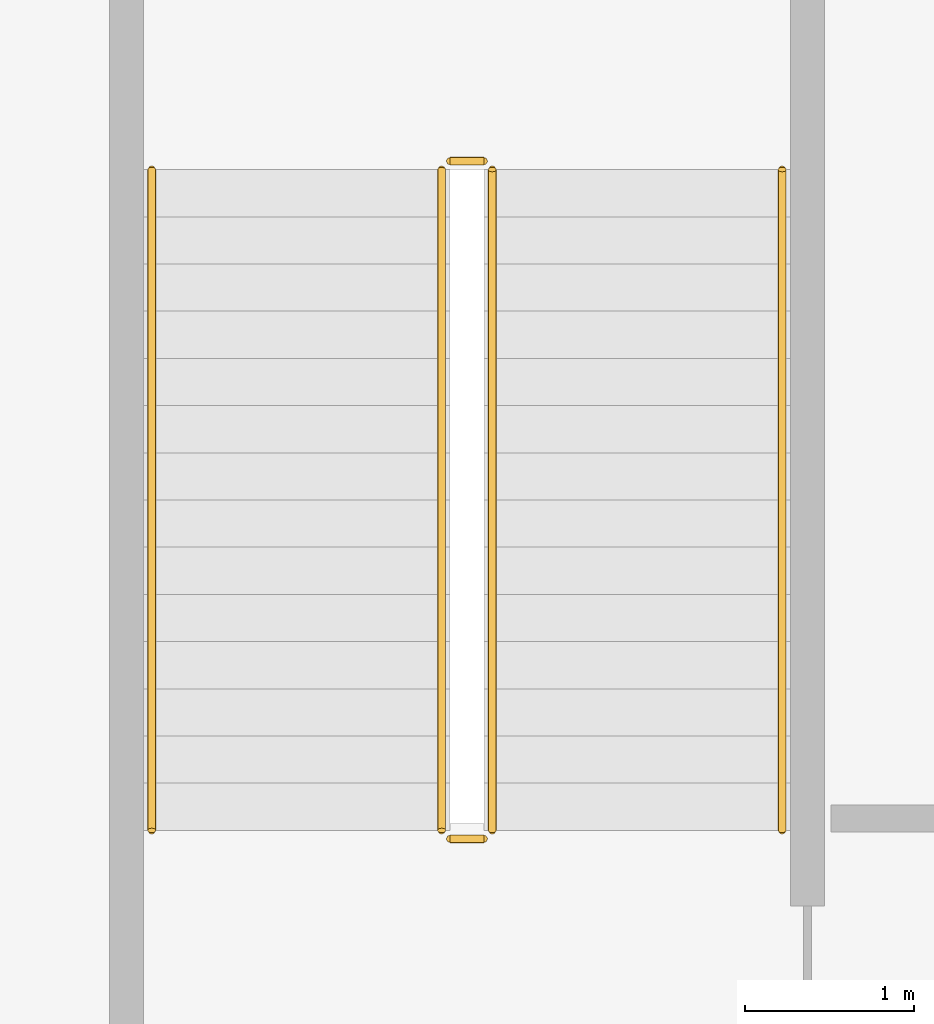
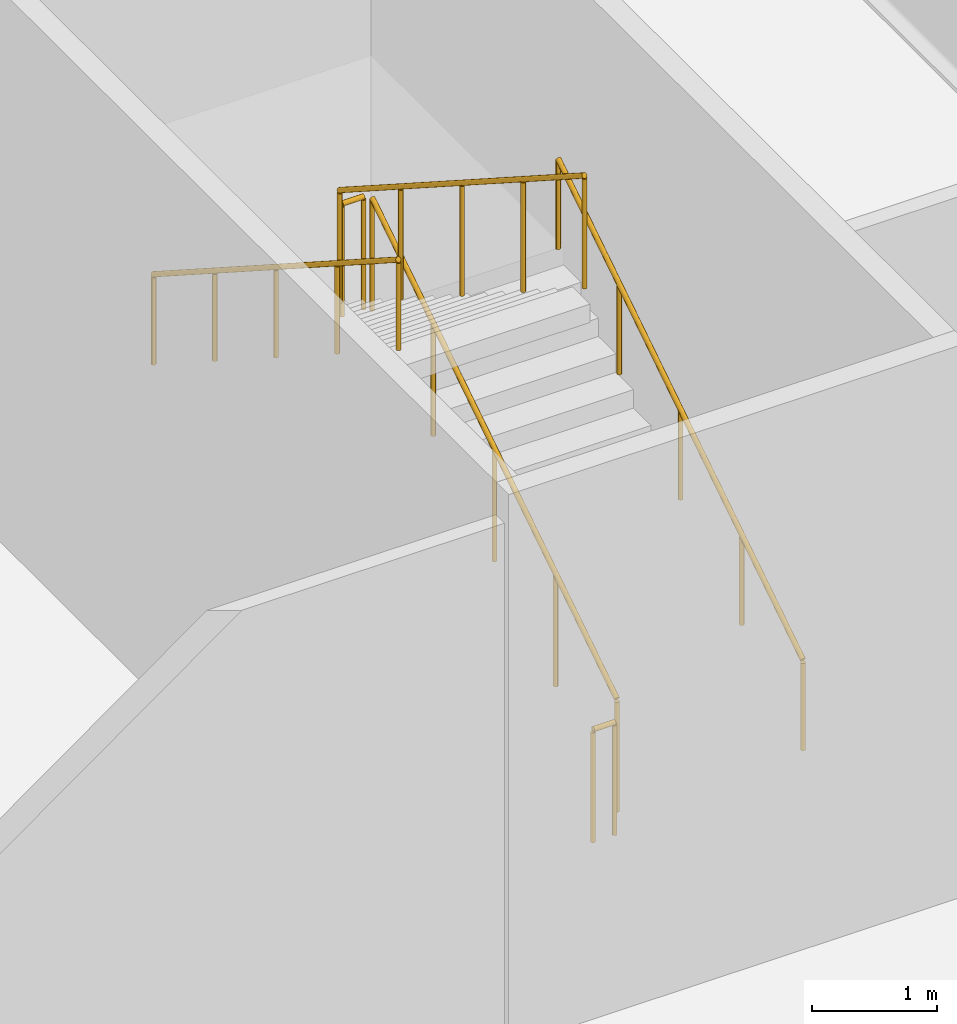
# One storey, part 23 of 24: 6 railings.
"""IFC4 building model written with IfcOpenShell, lengths in metres."""

import ifcopenshell
import ifcopenshell.guid

model = None  # the IFC model being written
_history = None  # IfcOwnerHistory: only IFC2X3 demands one
_inside = {}  # id of a spatial element -> (the spatial element, [elements in it])
_under = {}  # id of a project, library or spatial element -> (it, [spatial elements below it])
_declared = {}  # id of a project -> (the project, [libraries it declares])
_typed = {}  # id of a type object -> (the type object, [elements of that type])
_made_of = {}  # id of a material, layer set ... -> (it, [elements and type objects made of it])


def new_model(schema):
    """Start an empty IFC model of exactly this schema.

    Asked for "IFC4X3", IfcOpenShell would pick the latest addendum, in which some entities
    have other attributes; the version numbers below select the first issue.
    IFC2X3 requires an IfcOwnerHistory on every rooted entity: one is made here for all.
    """
    global model, _history
    if schema == "IFC4X3":
        model = ifcopenshell.file(schema_version=(4, 3, 0, 0))
    else:
        model = ifcopenshell.file(schema=schema)
    _inside.clear()
    _under.clear()
    _declared.clear()
    _typed.clear()
    _made_of.clear()
    _history = None
    if model.schema == "IFC2X3":
        org = make("IfcOrganization", Name="unknown")
        user = make(
            "IfcPersonAndOrganization",
            ThePerson=make("IfcPerson", FamilyName="unknown"),
            TheOrganization=org,
        )
        app = make(
            "IfcApplication",
            ApplicationDeveloper=org,
            Version="unknown",
            ApplicationFullName="unknown",
            ApplicationIdentifier="unknown",
        )
        _history = make(
            "IfcOwnerHistory",
            OwningUser=user,
            OwningApplication=app,
            ChangeAction="ADDED",
            CreationDate=0,
        )
    return model


def make(cls, **values):
    """One entity of the class cls with the attributes given. An attribute that is None is left unset."""
    return model.create_entity(
        cls, **{name: value for name, value in values.items() if value is not None}
    )


def rooted(cls, **values):
    """An entity with a GlobalId (a new one), such as an element, a storey or a relation."""
    return make(cls, GlobalId=ifcopenshell.guid.new(), OwnerHistory=_history, **values)


def si_unit(unit_type, name, prefix=None):
    """IfcSIUnit, for example si_unit("LENGTHUNIT", "METRE", prefix="MILLI")."""
    return make("IfcSIUnit", UnitType=unit_type, Prefix=prefix, Name=name)


def assignment(units):
    """IfcUnitAssignment: the units of a project."""
    return None if units is None else make("IfcUnitAssignment", Units=units)


def point(xyz):
    """IfcCartesianPoint."""
    return None if xyz is None else make("IfcCartesianPoint", Coordinates=xyz)


def direction(xyz):
    """IfcDirection."""
    return None if xyz is None else make("IfcDirection", DirectionRatios=xyz)


def frame(location, z_axis=None, x_axis=None):
    """IfcAxis2Placement3D, a coordinate frame: its origin and axes. An axis left out is left unset."""
    return make(
        "IfcAxis2Placement3D",
        Location=point(location),
        Axis=direction(z_axis),
        RefDirection=direction(x_axis),
    )


def frame_2d(location, x_axis=None):
    """IfcAxis2Placement2D, a coordinate frame in the plane: its origin and x axis."""
    return make(
        "IfcAxis2Placement2D", Location=point(location), RefDirection=direction(x_axis)
    )


def origin():
    """The frame at (0, 0, 0) with its axes left unset."""
    return frame((0.0, 0.0, 0.0))


def origin_2d():
    """The frame at (0, 0) in the plane with its x axis left unset."""
    return frame_2d((0.0, 0.0))


def place(relative_to, where):
    """IfcLocalPlacement: puts the frame where relative to a parent placement (None: the world)."""
    return make(
        "IfcLocalPlacement", PlacementRelTo=relative_to, RelativePlacement=where
    )


def context(
    kind, dimensions, precision=None, world=None, true_north=None, identifier=None
):
    """IfcGeometricRepresentationContext, for example the 3D "Model" context."""
    return make(
        "IfcGeometricRepresentationContext",
        ContextIdentifier=identifier,
        ContextType=kind,
        CoordinateSpaceDimension=dimensions,
        Precision=precision,
        WorldCoordinateSystem=world,
        TrueNorth=true_north,
    )


def subcontext(parent, identifier, kind, view, scale=None):
    """IfcGeometricRepresentationSubContext, for example "Body" below "Model"."""
    return make(
        "IfcGeometricRepresentationSubContext",
        ContextIdentifier=identifier,
        ContextType=kind,
        ParentContext=parent,
        TargetScale=scale,
        TargetView=view,
    )


def project(units=None, contexts=None):
    """IfcProject with its units and contexts."""
    return rooted(
        "IfcProject",
        Name="project",
        RepresentationContexts=contexts,
        UnitsInContext=assignment(units),
    )


def spatial(cls, under=None, at=None, **own):
    """A site, building, storey or space (cls), placed at a placement, below another one or the project."""
    s = rooted(cls, ObjectPlacement=at, **own)
    if under is not None:
        _under.setdefault(under.id(), (under, []))[1].append(s)
    return s


def profile(cls, at=None, kind="AREA", **sizes):
    """A parametric profile (cls). Its sizes go by their IFC names, for example OverallWidth=200.0."""
    return make(cls, ProfileType=kind, Position=at, **sizes)


def circle(**sizes):
    """IfcCircleProfileDef."""
    return profile("IfcCircleProfileDef", **sizes)


def extrude(swept, where, along, depth):
    """IfcExtrudedAreaSolid: the profile swept, set in the frame where, extruded along a direction by depth."""
    return make(
        "IfcExtrudedAreaSolid",
        SweptArea=swept,
        Position=where,
        ExtrudedDirection=direction(along),
        Depth=depth,
    )


def shape(context_of_items, identifier, shape_type, items):
    """IfcShapeRepresentation: the items that make up one representation, for example the "Body"."""
    return make(
        "IfcShapeRepresentation",
        ContextOfItems=context_of_items,
        RepresentationIdentifier=identifier,
        RepresentationType=shape_type,
        Items=items,
    )


def material(Name=None, Category=None):
    """IfcMaterial."""
    return make("IfcMaterial", Name=Name, Category=Category)


def made_of(thing, what):
    """Note that an element or type object is made of a material, layer set ...; save() writes the relation."""
    if what is not None:
        _made_of.setdefault(what.id(), (what, []))[1].append(thing)
    return thing


def type_object(cls, material=None, **own):
    """A type object (cls), such as IfcWallType, which elements share."""
    return made_of(rooted(cls, **own), material)


def element(
    cls,
    number,
    at=None,
    inside=None,
    cuts=None,
    type_object=None,
    material=None,
    context=None,
    identifier="Body",
    shape_type=None,
    held_by="IfcProductDefinitionShape",
    body=None,
    shapes=None,
    **own,
):
    """One element of the class cls, such as IfcWall. Its Tag is "e" and its number.

    at: its placement. inside: the storey or other place that contains it. cuts: it is an
    opening in that element (IfcRelVoidsElement). A single representation is given by context,
    identifier, shape_type and body (its items); several are given by shapes. held_by: the class
    of the entity that holds the representations. save() writes the other relations.
    """
    e = rooted(cls, Tag="e%d" % number, ObjectPlacement=at, **own)
    if body is not None:
        shapes = [shape(context, identifier, shape_type, body)]
    if shapes is not None:
        e.Representation = make(held_by, Representations=shapes)
    if inside is not None:
        _inside.setdefault(inside.id(), (inside, []))[1].append(e)
    if cuts is not None:
        rooted(
            "IfcRelVoidsElement", RelatingBuildingElement=cuts, RelatedOpeningElement=e
        )
    if type_object is not None:
        _typed.setdefault(type_object.id(), (type_object, []))[1].append(e)
    return made_of(e, material)


def aggregate(whole, parts):
    """IfcRelAggregates: a whole, such as a stair, and the parts it consists of."""
    return rooted("IfcRelAggregates", RelatingObject=whole, RelatedObjects=parts)


def save(model, path):
    """Write the relations noted so far, then the file.

    IfcRelAggregates (storeys below a building ...), IfcRelContainedInSpatialStructure (elements
    in a storey), IfcRelDefinesByType, IfcRelAssociatesMaterial and IfcRelDeclares: one each for
    every whole, place, type object, material and project.
    """
    for whole, parts in _under.values():
        aggregate(whole, parts)
    for where, things in _inside.values():
        rooted(
            "IfcRelContainedInSpatialStructure",
            RelatedElements=things,
            RelatingStructure=where,
        )
    for kind, things in _typed.values():
        rooted("IfcRelDefinesByType", RelatedObjects=things, RelatingType=kind)
    for what, things in _made_of.values():
        rooted("IfcRelAssociatesMaterial", RelatedObjects=things, RelatingMaterial=what)
    for by, libraries in _declared.values():
        rooted("IfcRelDeclares", RelatingContext=by, RelatedDefinitions=libraries)
    model.write(path)


model = new_model("IFC4")

# Units and contexts
model_context = context("Model", 3, precision=1e-05, world=origin(), true_north=direction((0.0, 1.0)))
body_context = subcontext(model_context, "Body", "Model", "MODEL_VIEW")
ifc_project = project(units=[si_unit("LENGTHUNIT", "METRE"), si_unit("AREAUNIT", "SQUARE_METRE"), si_unit("VOLUMEUNIT", "CUBIC_METRE"), si_unit("PLANEANGLEUNIT", "RADIAN"), si_unit("MASSUNIT", "GRAM", prefix="KILO")], contexts=[model_context])

# Site, building, storey
site_placement = place(None, origin())
site = spatial("IfcSite", under=ifc_project, at=site_placement, CompositionType="ELEMENT")
building_placement = place(site_placement, origin())
building = spatial("IfcBuilding", under=site, at=building_placement, Name="Nefas-Gora Pilgrimage Tower", CompositionType="ELEMENT")
storey_placement = place(building_placement, frame((0.0, 0.0, 11.39990234375)))
storey = spatial("IfcBuildingStorey", under=building, at=storey_placement, Name="L02", CompositionType="ELEMENT", Elevation=11.39990234375)

# Railings
ifc_material_1 = material(Name="Painted galvanised steel", Category="steel")
railing_type_1 = type_object("IfcRailingType", Name="RLG-STR-GUARD-1100", PredefinedType="GUARDRAIL", material=ifc_material_1)
railing_1_placement = place(storey_placement, frame((-29.469970703125, 11.800048828125, 0.18017578125)))
element("IfcRailing", 1, at=railing_1_placement, inside=storey, type_object=railing_type_1, Name="L02 ST-04 stair guard 1", PredefinedType="GUARDRAIL", context=body_context, shape_type="SweptSolid", body=[
    extrude(circle(Radius=0.02392578125, at=origin_2d()), frame((0.0, 0.0, 1.09619140625), z_axis=(0.0, 0.841171666519, 0.540768182723), x_axis=(-1.0, 0.0, 0.0)), (0.0, 0.0, 1.0), 4.66015625),
    extrude(circle(Radius=0.02099609375, at=origin_2d()), origin(), (0.0, 0.0, 1.0), 1.072021484375),
    extrude(circle(Radius=0.02099609375, at=origin_2d()), frame((0.0, 0.97998046875, 0.6298828125)), (0.0, 0.0, 1.0), 1.072021484375),
    extrude(circle(Radius=0.02099609375, at=origin_2d()), frame((0.0, 1.9599609375, 1.260009765625)), (0.0, 0.0, 1.0), 1.072021484375),
    extrude(circle(Radius=0.02099609375, at=origin_2d()), frame((0.0, 2.93994140625, 1.89013671875)), (0.0, 0.0, 1.0), 1.072021484375),
    extrude(circle(Radius=0.02099609375, at=origin_2d()), frame((0.0, 3.919921875, 2.52001953125)), (0.0, 0.0, 1.0), 1.072021484375),
])
railing_2_placement = place(storey_placement, frame((-29.52001953125, 15.77001953125, 2.7001953125)))
element("IfcRailing", 2, at=railing_2_placement, inside=storey, type_object=railing_type_1, Name="L02 ST-04 stair guard 2", PredefinedType="GUARDRAIL", context=body_context, shape_type="SweptSolid", body=[
    extrude(circle(Radius=0.02392578125, at=origin_2d()), frame((0.0, 0.0, 1.09619140625), z_axis=(-1.0, 0.0, 0.0), x_axis=(0.0, -1.0, 0.0)), (0.0, 0.0, 1.0), 0.199951171875),
    extrude(circle(Radius=0.02099609375, at=origin_2d()), origin(), (0.0, 0.0, 1.0), 1.072021484375),
    extrude(circle(Radius=0.02099609375, at=origin_2d()), frame((-0.199951171875, 0.0, 0.0)), (0.0, 0.0, 1.0), 1.072021484375),
])
railing_3_placement = place(storey_placement, frame((-29.77001953125, 15.719970703125, 2.880126953125)))
element("IfcRailing", 3, at=railing_3_placement, inside=storey, type_object=railing_type_1, Name="L02 ST-04 stair guard 3", PredefinedType="GUARDRAIL", context=body_context, shape_type="SweptSolid", body=[
    extrude(circle(Radius=0.02392578125, at=origin_2d()), frame((0.0, 0.0, 1.09619140625), z_axis=(0.0, -0.841171666519, 0.540768182723), x_axis=(1.0, 0.0, 0.0)), (0.0, 0.0, 1.0), 4.66015625),
    extrude(circle(Radius=0.02099609375, at=origin_2d()), origin(), (0.0, 0.0, 1.0), 1.072021484375),
    extrude(circle(Radius=0.02099609375, at=origin_2d()), frame((0.0, -0.97998046875, 0.6298828125)), (0.0, 0.0, 1.0), 1.072021484375),
    extrude(circle(Radius=0.02099609375, at=origin_2d()), frame((0.0, -1.9599609375, 1.260009765625)), (0.0, 0.0, 1.0), 1.072021484375),
    extrude(circle(Radius=0.02099609375, at=origin_2d()), frame((0.0, -2.93994140625, 1.89013671875)), (0.0, 0.0, 1.0), 1.072021484375),
    extrude(circle(Radius=0.02099609375, at=origin_2d()), frame((0.0, -3.919921875, 2.52001953125)), (0.0, 0.0, 1.0), 1.072021484375),
])
railing_4_placement = place(storey_placement, frame((-29.52001953125, 11.75, 0.0)))
element("IfcRailing", 4, at=railing_4_placement, inside=storey, type_object=railing_type_1, Name="L02 ST-04 stair guard 4", PredefinedType="GUARDRAIL", context=body_context, shape_type="SweptSolid", body=[
    extrude(circle(Radius=0.02392578125, at=origin_2d()), frame((0.0, 0.0, 1.09619140625), z_axis=(-1.0, 0.0, 0.0), x_axis=(0.0, -1.0, 0.0)), (0.0, 0.0, 1.0), 0.199951171875),
    extrude(circle(Radius=0.02099609375, at=origin_2d()), origin(), (0.0, 0.0, 1.0), 1.072021484375),
    extrude(circle(Radius=0.02099609375, at=origin_2d()), frame((-0.199951171875, 0.0, 0.0)), (0.0, 0.0, 1.0), 1.072021484375),
])
ifc_material_2 = material(Name="Brushed stainless steel", Category="steel")
railing_type_2 = type_object("IfcRailingType", Name="RLG-STR-HAND-900", PredefinedType="HANDRAIL", material=ifc_material_2)
railing_5_placement = place(storey_placement, frame((-27.75, 11.800048828125, 0.18017578125)))
element("IfcRailing", 5, at=railing_5_placement, inside=storey, type_object=railing_type_2, Name="L02 ST-04 stair handrail 1", PredefinedType="HANDRAIL", context=body_context, shape_type="SweptSolid", body=[
    extrude(circle(Radius=0.02392578125, at=origin_2d()), frame((0.0, 0.0, 0.8759765625), z_axis=(0.0, 0.841171666519, 0.540768182723), x_axis=(-1.0, 0.0, 0.0)), (0.0, 0.0, 1.0), 4.66015625),
    extrude(circle(Radius=0.02099609375, at=origin_2d()), origin(), (0.0, 0.0, 1.0), 0.851806640625),
    extrude(circle(Radius=0.02099609375, at=origin_2d()), frame((0.0, 0.97998046875, 0.6298828125)), (0.0, 0.0, 1.0), 0.851806640625),
    extrude(circle(Radius=0.02099609375, at=origin_2d()), frame((0.0, 1.9599609375, 1.260009765625)), (0.0, 0.0, 1.0), 0.851806640625),
    extrude(circle(Radius=0.02099609375, at=origin_2d()), frame((0.0, 2.93994140625, 1.89013671875)), (0.0, 0.0, 1.0), 0.851806640625),
    extrude(circle(Radius=0.02099609375, at=origin_2d()), frame((0.0, 3.919921875, 2.52001953125)), (0.0, 0.0, 1.0), 0.851806640625),
])
railing_6_placement = place(storey_placement, frame((-31.489990234375, 15.719970703125, 2.880126953125)))
element("IfcRailing", 6, at=railing_6_placement, inside=storey, type_object=railing_type_2, Name="L02 ST-04 stair handrail 2", PredefinedType="HANDRAIL", context=body_context, shape_type="SweptSolid", body=[
    extrude(circle(Radius=0.02392578125, at=origin_2d()), frame((0.0, 0.0, 0.8759765625), z_axis=(0.0, -0.841171666519, 0.540768182723), x_axis=(1.0, 0.0, 0.0)), (0.0, 0.0, 1.0), 4.66015625),
    extrude(circle(Radius=0.02099609375, at=origin_2d()), origin(), (0.0, 0.0, 1.0), 0.851806640625),
    extrude(circle(Radius=0.02099609375, at=origin_2d()), frame((0.0, -0.97998046875, 0.6298828125)), (0.0, 0.0, 1.0), 0.851806640625),
    extrude(circle(Radius=0.02099609375, at=origin_2d()), frame((0.0, -1.9599609375, 1.260009765625)), (0.0, 0.0, 1.0), 0.851806640625),
    extrude(circle(Radius=0.02099609375, at=origin_2d()), frame((0.0, -2.93994140625, 1.89013671875)), (0.0, 0.0, 1.0), 0.851806640625),
    extrude(circle(Radius=0.02099609375, at=origin_2d()), frame((0.0, -3.919921875, 2.52001953125)), (0.0, 0.0, 1.0), 0.851806640625),
])

save(model, "model.ifc")
